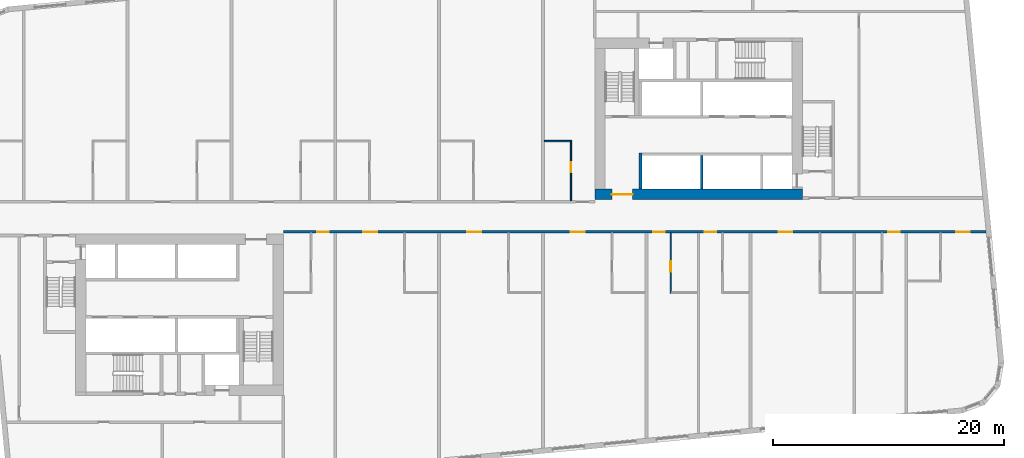
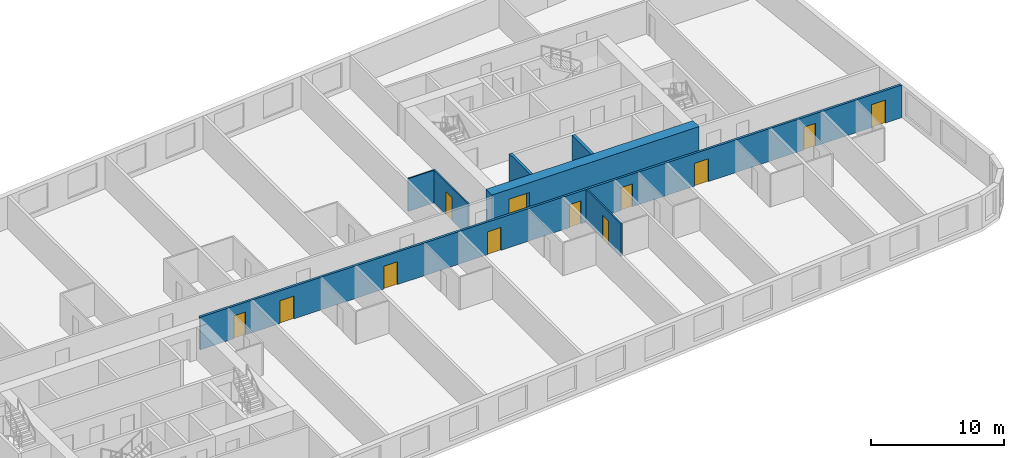
# One storey, part 5 of 12: 12 doors, 7 walls, 12 openings.
"""IFC4 building model written with IfcOpenShell, lengths in metres."""

from ifc_helpers import new_model, si_unit, direction, frame, frame_2d, origin, place, context, subcontext, project, spatial, rectangle, extrude, material, layer, layer_set, type_object, element, fill, save


model = new_model("IFC4")

# Units and contexts
model_context = context("Model", 3, precision=1e-05, world=origin(), true_north=direction((0.0, 1.0)))
body_context = subcontext(model_context, "Body", "Model", "MODEL_VIEW")
ifc_project = project(units=[si_unit("LENGTHUNIT", "METRE"), si_unit("AREAUNIT", "SQUARE_METRE"), si_unit("VOLUMEUNIT", "CUBIC_METRE"), si_unit("PLANEANGLEUNIT", "RADIAN"), si_unit("MASSUNIT", "GRAM", prefix="KILO")], contexts=[model_context])

# Site, building, storey
site_placement = place(None, origin())
site = spatial("IfcSite", under=ifc_project, at=site_placement, CompositionType="ELEMENT")
building_placement = place(site_placement, origin())
building = spatial("IfcBuilding", under=site, at=building_placement, Name="Kajstack Hotel Tower", CompositionType="ELEMENT")
storey_placement = place(building_placement, frame((0.0, 0.0, 147.10009765625)))
storey = spatial("IfcBuildingStorey", under=building, at=storey_placement, Name="L34", CompositionType="ELEMENT", Elevation=147.10009765625)

# Wall, opening, door
ifc_material_1 = material(Name="Concrete C60/75", Category="concrete")
ifc_layer_1 = layer(ifc_material_1, 0.89990234375)
ifc_layer_set_1 = layer_set([ifc_layer_1], Name="Core wall 900")
wall_type_1 = type_object("IfcWallType", Name="Core wall 900", PredefinedType="SHEAR", material=ifc_layer_set_1)
wall_1_placement = place(storey_placement, frame((13.5, 1.949951171875, 0.0), z_axis=(0.0, 0.0, 1.0), x_axis=(1.0, 0.0, 0.0)))
wall_1 = element("IfcWall", 1, at=wall_1_placement, inside=storey, type_object=wall_type_1, Name="Core wall E RN", PredefinedType="SHEAR", context=body_context, shape_type="SweptSolid", body=[
    extrude(rectangle(XDim=18.0, YDim=0.89990234375, at=frame_2d((9.0, 0.0))), origin(), (0.0, 0.0, 1.0), 3.0),
])
opening_1_placement = place(wall_1_placement, frame((1.47509765625, 0.0, 0.0)))
opening_1 = element("IfcOpeningElement", 2, at=opening_1_placement, cuts=wall_1, Name="Opening 34E06", PredefinedType="OPENING", context=body_context, shape_type="SweptSolid", body=[
    extrude(rectangle(XDim=1.800048828125, YDim=2.10009765625, at=frame_2d((0.89990234375, 1.050048828125))), frame((0.0, 0.4599609375, 0.0), z_axis=(0.0, -1.0, 0.0), x_axis=(1.0, 0.0, 0.0)), (0.0, 0.0, 1.0), 0.919921875),
])
ifc_material_2 = material(Name="Glazed steel frame, fire-rated glass", Category="steel")
door_type_1 = type_object("IfcDoorType", Name="Lobby double door 1800", OperationType="DOUBLE_DOOR_DOUBLE_SWING", PredefinedType="DOOR", material=ifc_material_2)
door_1_placement = place(opening_1_placement, origin())
door_1 = element("IfcDoor", 3, at=door_1_placement, inside=storey, type_object=door_type_1, Name="Door 34E06", OperationType="DOUBLE_DOOR_DOUBLE_SWING", OverallHeight=2.10009765625, OverallWidth=1.800048828125, PredefinedType="DOOR", context=body_context, shape_type="SweptSolid", body=[
    extrude(rectangle(XDim=1.800048828125, YDim=2.10009765625, at=frame_2d((0.89990234375, 1.050048828125))), frame((0.0, 0.02490234375, 0.0), z_axis=(0.0, -1.0, 0.0), x_axis=(1.0, 0.0, 0.0)), (0.0, 0.0, 1.0), 0.050048828125),
])
fill(opening_1, door_1)

# Wall, openings, doors
ifc_material_3 = material(Name="Gypsum board on steel studs, mineral wool", Category="steel")
ifc_layer_2 = layer(ifc_material_3, 0.199951171875)
ifc_layer_set_2 = layer_set([ifc_layer_2], Name="Corridor wall 200")
wall_type_2 = type_object("IfcWallType", Name="Corridor wall 200", PredefinedType="PARTITIONING", material=ifc_layer_set_2)
wall_2_placement = place(storey_placement, frame((-13.5, -1.300048828125, 0.0), z_axis=(0.0, 0.0, 1.0), x_axis=(1.0, 0.0, 0.0)))
wall_2 = element("IfcWall", 4, at=wall_2_placement, inside=storey, type_object=wall_type_2, Name="G-wall-L34-018", PredefinedType="PARTITIONING", context=body_context, shape_type="SweptSolid", body=[
    extrude(rectangle(XDim=60.931884765625, YDim=0.199951171875, at=frame_2d((30.4658203125, 0.0))), origin(), (0.0, 0.0, 1.0), 3.0),
])
opening_2_placement = place(wall_2_placement, frame((2.925048828125, 0.0, 0.0)))
opening_2 = element("IfcOpeningElement", 5, at=opening_2_placement, cuts=wall_2, Name="Opening 34015", PredefinedType="OPENING", context=body_context, shape_type="SweptSolid", body=[
    extrude(rectangle(XDim=1.0, YDim=2.10009765625, at=frame_2d((0.5, 1.050048828125))), frame((0.0, 0.10986328125, 0.0), z_axis=(0.0, -1.0, 0.0), x_axis=(1.0, 0.0, 0.0)), (0.0, 0.0, 1.0), 0.219970703125),
])
opening_3_placement = place(wall_2_placement, frame((6.93798828125, 0.0, 0.0)))
opening_3 = element("IfcOpeningElement", 6, at=opening_3_placement, cuts=wall_2, Name="Opening 34017", PredefinedType="OPENING", context=body_context, shape_type="SweptSolid", body=[
    extrude(rectangle(XDim=1.199951171875, YDim=2.10009765625, at=frame_2d((0.60009765625, 1.050048828125))), frame((0.0, 0.10986328125, 0.0), z_axis=(0.0, -1.0, 0.0), x_axis=(1.0, 0.0, 0.0)), (0.0, 0.0, 1.0), 0.219970703125),
])
opening_4_placement = place(wall_2_placement, frame((15.93798828125, 0.0, 0.0)))
opening_4 = element("IfcOpeningElement", 7, at=opening_4_placement, cuts=wall_2, Name="Opening 34019", PredefinedType="OPENING", context=body_context, shape_type="SweptSolid", body=[
    extrude(rectangle(XDim=1.199951171875, YDim=2.10009765625, at=frame_2d((0.60009765625, 1.050048828125))), frame((0.0, 0.10986328125, 0.0), z_axis=(0.0, -1.0, 0.0), x_axis=(1.0, 0.0, 0.0)), (0.0, 0.0, 1.0), 0.219970703125),
])
opening_5_placement = place(wall_2_placement, frame((24.93798828125, 0.0, 0.0)))
opening_5 = element("IfcOpeningElement", 8, at=opening_5_placement, cuts=wall_2, Name="Opening 34021", PredefinedType="OPENING", context=body_context, shape_type="SweptSolid", body=[
    extrude(rectangle(XDim=1.199951171875, YDim=2.10009765625, at=frame_2d((0.60009765625, 1.050048828125))), frame((0.0, 0.10986328125, 0.0), z_axis=(0.0, -1.0, 0.0), x_axis=(1.0, 0.0, 0.0)), (0.0, 0.0, 1.0), 0.219970703125),
])
opening_6_placement = place(wall_2_placement, frame((32.074951171875, 0.0, 0.0)))
opening_6 = element("IfcOpeningElement", 9, at=opening_6_placement, cuts=wall_2, Name="Opening 34023", PredefinedType="OPENING", context=body_context, shape_type="SweptSolid", body=[
    extrude(rectangle(XDim=1.0, YDim=2.10009765625, at=frame_2d((0.5, 1.050048828125))), frame((0.0, 0.10986328125, 0.0), z_axis=(0.0, -1.0, 0.0), x_axis=(1.0, 0.0, 0.0)), (0.0, 0.0, 1.0), 0.219970703125),
])
opening_7_placement = place(wall_2_placement, frame((36.550048828125, 0.0, 0.0)))
opening_7 = element("IfcOpeningElement", 10, at=opening_7_placement, cuts=wall_2, Name="Opening 34025", PredefinedType="OPENING", context=body_context, shape_type="SweptSolid", body=[
    extrude(rectangle(XDim=1.0, YDim=2.10009765625, at=frame_2d((0.5, 1.050048828125))), frame((0.0, 0.10986328125, 0.0), z_axis=(0.0, -1.0, 0.0), x_axis=(1.0, 0.0, 0.0)), (0.0, 0.0, 1.0), 0.219970703125),
])
opening_8_placement = place(wall_2_placement, frame((42.93798828125, 0.0, 0.0)))
opening_8 = element("IfcOpeningElement", 11, at=opening_8_placement, cuts=wall_2, Name="Opening 34027", PredefinedType="OPENING", context=body_context, shape_type="SweptSolid", body=[
    extrude(rectangle(XDim=1.199951171875, YDim=2.10009765625, at=frame_2d((0.60009765625, 1.050048828125))), frame((0.0, 0.10986328125, 0.0), z_axis=(0.0, -1.0, 0.0), x_axis=(1.0, 0.0, 0.0)), (0.0, 0.0, 1.0), 0.219970703125),
])
opening_9_placement = place(wall_2_placement, frame((52.425048828125, 0.0, 0.0)))
opening_9 = element("IfcOpeningElement", 12, at=opening_9_placement, cuts=wall_2, Name="Opening 34029", PredefinedType="OPENING", context=body_context, shape_type="SweptSolid", body=[
    extrude(rectangle(XDim=1.0, YDim=2.10009765625, at=frame_2d((0.5, 1.050048828125))), frame((0.0, 0.10986328125, 0.0), z_axis=(0.0, -1.0, 0.0), x_axis=(1.0, 0.0, 0.0)), (0.0, 0.0, 1.0), 0.219970703125),
])
opening_10_placement = place(wall_2_placement, frame((58.31591796875, 0.0, 0.0)))
opening_10 = element("IfcOpeningElement", 13, at=opening_10_placement, cuts=wall_2, Name="Opening 34031", PredefinedType="OPENING", context=body_context, shape_type="SweptSolid", body=[
    extrude(rectangle(XDim=1.199951171875, YDim=2.10009765625, at=frame_2d((0.60009765625, 1.050048828125))), frame((0.0, 0.10986328125, 0.0), z_axis=(0.0, -1.0, 0.0), x_axis=(1.0, 0.0, 0.0)), (0.0, 0.0, 1.0), 0.219970703125),
])
ifc_material_4 = material(Name="Oak veneer on timber core, fire-rated leaf", Category="wood")
door_type_2 = type_object("IfcDoorType", Name="Flat entrance door 1000", OperationType="SINGLE_SWING_LEFT", PredefinedType="DOOR", material=ifc_material_4)
door_2_placement = place(opening_2_placement, origin())
door_2 = element("IfcDoor", 14, at=door_2_placement, inside=storey, type_object=door_type_2, Name="G-door-L34-15", OperationType="SINGLE_SWING_RIGHT", OverallHeight=2.10009765625, OverallWidth=1.0, PredefinedType="DOOR", context=body_context, shape_type="SweptSolid", body=[
    extrude(rectangle(XDim=1.0, YDim=2.10009765625, at=frame_2d((0.5, 1.050048828125))), frame((0.0, 0.02490234375, 0.0), z_axis=(0.0, -1.0, 0.0), x_axis=(1.0, 0.0, 0.0)), (0.0, 0.0, 1.0), 0.050048828125),
])
fill(opening_2, door_2)
door_3_placement = place(opening_6_placement, origin())
door_3 = element("IfcDoor", 15, at=door_3_placement, inside=storey, type_object=door_type_2, Name="G-door-L34-23", OperationType="SINGLE_SWING_RIGHT", OverallHeight=2.10009765625, OverallWidth=1.0, PredefinedType="DOOR", context=body_context, shape_type="SweptSolid", body=[
    extrude(rectangle(XDim=1.0, YDim=2.10009765625, at=frame_2d((0.5, 1.050048828125))), frame((0.0, 0.02490234375, 0.0), z_axis=(0.0, -1.0, 0.0), x_axis=(1.0, 0.0, 0.0)), (0.0, 0.0, 1.0), 0.050048828125),
])
fill(opening_6, door_3)
door_4_placement = place(opening_7_placement, origin())
door_4 = element("IfcDoor", 16, at=door_4_placement, inside=storey, type_object=door_type_2, Name="G-door-L34-25", OperationType="SINGLE_SWING_RIGHT", OverallHeight=2.10009765625, OverallWidth=1.0, PredefinedType="DOOR", context=body_context, shape_type="SweptSolid", body=[
    extrude(rectangle(XDim=1.0, YDim=2.10009765625, at=frame_2d((0.5, 1.050048828125))), frame((0.0, 0.02490234375, 0.0), z_axis=(0.0, -1.0, 0.0), x_axis=(1.0, 0.0, 0.0)), (0.0, 0.0, 1.0), 0.050048828125),
])
fill(opening_7, door_4)
door_5_placement = place(opening_9_placement, origin())
door_5 = element("IfcDoor", 17, at=door_5_placement, inside=storey, type_object=door_type_2, Name="G-door-L34-29", OperationType="SINGLE_SWING_RIGHT", OverallHeight=2.10009765625, OverallWidth=1.0, PredefinedType="DOOR", context=body_context, shape_type="SweptSolid", body=[
    extrude(rectangle(XDim=1.0, YDim=2.10009765625, at=frame_2d((0.5, 1.050048828125))), frame((0.0, 0.02490234375, 0.0), z_axis=(0.0, -1.0, 0.0), x_axis=(1.0, 0.0, 0.0)), (0.0, 0.0, 1.0), 0.050048828125),
])
fill(opening_9, door_5)
door_type_3 = type_object("IfcDoorType", Name="Flat entrance door 1200", OperationType="SINGLE_SWING_LEFT", PredefinedType="DOOR", material=ifc_material_4)
door_6_placement = place(opening_3_placement, origin())
door_6 = element("IfcDoor", 18, at=door_6_placement, inside=storey, type_object=door_type_3, Name="G-door-L34-17", OperationType="SINGLE_SWING_RIGHT", OverallHeight=2.10009765625, OverallWidth=1.199951171875, PredefinedType="DOOR", context=body_context, shape_type="SweptSolid", body=[
    extrude(rectangle(XDim=1.199951171875, YDim=2.10009765625, at=frame_2d((0.60009765625, 1.050048828125))), frame((0.0, 0.02490234375, 0.0), z_axis=(0.0, -1.0, 0.0), x_axis=(1.0, 0.0, 0.0)), (0.0, 0.0, 1.0), 0.050048828125),
])
fill(opening_3, door_6)
door_7_placement = place(opening_4_placement, origin())
door_7 = element("IfcDoor", 19, at=door_7_placement, inside=storey, type_object=door_type_3, Name="G-door-L34-19", OperationType="SINGLE_SWING_RIGHT", OverallHeight=2.10009765625, OverallWidth=1.199951171875, PredefinedType="DOOR", context=body_context, shape_type="SweptSolid", body=[
    extrude(rectangle(XDim=1.199951171875, YDim=2.10009765625, at=frame_2d((0.60009765625, 1.050048828125))), frame((0.0, 0.02490234375, 0.0), z_axis=(0.0, -1.0, 0.0), x_axis=(1.0, 0.0, 0.0)), (0.0, 0.0, 1.0), 0.050048828125),
])
fill(opening_4, door_7)
door_8_placement = place(opening_5_placement, origin())
door_8 = element("IfcDoor", 20, at=door_8_placement, inside=storey, type_object=door_type_3, Name="G-door-L34-21", OperationType="SINGLE_SWING_RIGHT", OverallHeight=2.10009765625, OverallWidth=1.199951171875, PredefinedType="DOOR", context=body_context, shape_type="SweptSolid", body=[
    extrude(rectangle(XDim=1.199951171875, YDim=2.10009765625, at=frame_2d((0.60009765625, 1.050048828125))), frame((0.0, 0.02490234375, 0.0), z_axis=(0.0, -1.0, 0.0), x_axis=(1.0, 0.0, 0.0)), (0.0, 0.0, 1.0), 0.050048828125),
])
fill(opening_5, door_8)
door_9_placement = place(opening_8_placement, origin())
door_9 = element("IfcDoor", 21, at=door_9_placement, inside=storey, type_object=door_type_3, Name="G-door-L34-27", OperationType="SINGLE_SWING_LEFT", OverallHeight=2.10009765625, OverallWidth=1.199951171875, PredefinedType="DOOR", context=body_context, shape_type="SweptSolid", body=[
    extrude(rectangle(XDim=1.199951171875, YDim=2.10009765625, at=frame_2d((0.60009765625, 1.050048828125))), frame((0.0, 0.02490234375, 0.0), z_axis=(0.0, -1.0, 0.0), x_axis=(1.0, 0.0, 0.0)), (0.0, 0.0, 1.0), 0.050048828125),
])
fill(opening_8, door_9)
door_10_placement = place(opening_10_placement, origin())
door_10 = element("IfcDoor", 22, at=door_10_placement, inside=storey, type_object=door_type_3, Name="G-door-L34-31", OperationType="SINGLE_SWING_LEFT", OverallHeight=2.10009765625, OverallWidth=1.199951171875, PredefinedType="DOOR", context=body_context, shape_type="SweptSolid", body=[
    extrude(rectangle(XDim=1.199951171875, YDim=2.10009765625, at=frame_2d((0.60009765625, 1.050048828125))), frame((0.0, 0.02490234375, 0.0), z_axis=(0.0, -1.0, 0.0), x_axis=(1.0, 0.0, 0.0)), (0.0, 0.0, 1.0), 0.050048828125),
])
fill(opening_10, door_10)

# Wall, opening, door
ifc_material_5 = material(Name="Gypsum board and tiled backer on steel studs", Category="steel")
ifc_layer_3 = layer(ifc_material_5, 0.125)
ifc_layer_set_3 = layer_set([ifc_layer_3], Name="En-suite wall 125")
wall_type_3 = type_object("IfcWallType", Name="En-suite wall 125", PredefinedType="PARTITIONING", material=ifc_layer_set_3)
wall_3_placement = place(storey_placement, frame((11.43798828125, 1.39990234375, 0.0), z_axis=(0.0, 0.0, 1.0), x_axis=(0.0, 1.0, 0.0)))
wall_3 = element("IfcWall", 23, at=wall_3_placement, inside=storey, type_object=wall_type_3, Name="G-wall-L34-016", PredefinedType="PARTITIONING", context=body_context, shape_type="SweptSolid", body=[
    extrude(rectangle(XDim=5.22509765625, YDim=0.125, at=frame_2d((2.612548828125, 0.0))), origin(), (0.0, 0.0, 1.0), 3.0),
])
opening_11_placement = place(wall_3_placement, frame((2.449951171875, 0.0, 0.0)))
opening_11 = element("IfcOpeningElement", 24, at=opening_11_placement, cuts=wall_3, Name="Opening 34014", PredefinedType="OPENING", context=body_context, shape_type="SweptSolid", body=[
    extrude(rectangle(XDim=0.89990234375, YDim=2.10009765625, at=frame_2d((0.449951171875, 1.050048828125))), frame((0.0, 0.072509765625, 0.0), z_axis=(0.0, -1.0, 0.0), x_axis=(1.0, 0.0, 0.0)), (0.0, 0.0, 1.0), 0.14501953125),
])
ifc_material_6 = material(Name="Painted timber door leaf", Category="wood")
door_type_4 = type_object("IfcDoorType", Name="Room door 900", OperationType="SINGLE_SWING_LEFT", PredefinedType="DOOR", material=ifc_material_6)
door_11_placement = place(opening_11_placement, origin())
door_11 = element("IfcDoor", 25, at=door_11_placement, inside=storey, type_object=door_type_4, Name="G-door-L34-14", OperationType="SINGLE_SWING_RIGHT", OverallHeight=2.10009765625, OverallWidth=0.89990234375, PredefinedType="DOOR", context=body_context, shape_type="SweptSolid", body=[
    extrude(rectangle(XDim=0.89990234375, YDim=2.10009765625, at=frame_2d((0.449951171875, 1.050048828125))), frame((0.0, 0.02490234375, 0.0), z_axis=(0.0, -1.0, 0.0), x_axis=(1.0, 0.0, 0.0)), (0.0, 0.0, 1.0), 0.050048828125),
])
fill(opening_11, door_11)

# Wall
wall_4_placement = place(storey_placement, frame((9.125, 6.56201171875, 0.0), z_axis=(0.0, 0.0, 1.0), x_axis=(1.0, 0.0, 0.0)))
element("IfcWall", 26, at=wall_4_placement, inside=storey, type_object=wall_type_3, Name="G-wall-L34-017", PredefinedType="PARTITIONING", context=body_context, shape_type="SweptSolid", body=[
    extrude(rectangle(XDim=2.25, YDim=0.125, at=frame_2d((1.125, 0.0))), origin(), (0.0, 0.0, 1.0), 3.0),
])

# Wall, opening, door
wall_5_placement = place(storey_placement, frame((20.0869140625, -6.625, 0.0), z_axis=(0.0, 0.0, 1.0), x_axis=(0.0, 1.0, 0.0)))
wall_5 = element("IfcWall", 27, at=wall_5_placement, inside=storey, type_object=wall_type_3, Name="G-wall-L34-028", PredefinedType="PARTITIONING", context=body_context, shape_type="SweptSolid", body=[
    extrude(rectangle(XDim=5.22509765625, YDim=0.125, at=frame_2d((2.612548828125, 0.0))), origin(), (0.0, 0.0, 1.0), 3.0),
])
opening_12_placement = place(wall_5_placement, frame((1.875, 0.0, 0.0)))
opening_12 = element("IfcOpeningElement", 28, at=opening_12_placement, cuts=wall_5, Name="Opening 34024", PredefinedType="OPENING", context=body_context, shape_type="SweptSolid", body=[
    extrude(rectangle(XDim=0.89990234375, YDim=2.10009765625, at=frame_2d((0.449951171875, 1.050048828125))), frame((0.0, 0.072509765625, 0.0), z_axis=(0.0, -1.0, 0.0), x_axis=(1.0, 0.0, 0.0)), (0.0, 0.0, 1.0), 0.14501953125),
])
door_12_placement = place(opening_12_placement, origin())
door_12 = element("IfcDoor", 29, at=door_12_placement, inside=storey, type_object=door_type_4, Name="G-door-L34-24", OperationType="SINGLE_SWING_LEFT", OverallHeight=2.10009765625, OverallWidth=0.89990234375, PredefinedType="DOOR", context=body_context, shape_type="SweptSolid", body=[
    extrude(rectangle(XDim=0.89990234375, YDim=2.10009765625, at=frame_2d((0.449951171875, 1.050048828125))), frame((0.0, 0.02490234375, 0.0), z_axis=(0.0, -1.0, 0.0), x_axis=(1.0, 0.0, 0.0)), (0.0, 0.0, 1.0), 0.050048828125),
])
fill(opening_12, door_12)

# Walls
ifc_material_7 = material(Name="Concrete C50/60", Category="concrete")
ifc_layer_4 = layer(ifc_material_7, 0.300048828125)
ifc_layer_set_4 = layer_set([ifc_layer_4], Name="Hoistway divider wall 300")
wall_type_4 = type_object("IfcWallType", Name="Hoistway divider wall 300", PredefinedType="SHEAR", material=ifc_layer_set_4)
wall_6_placement = place(storey_placement, frame((22.77490234375, 2.39990234375, 0.0), z_axis=(0.0, 0.0, 1.0), x_axis=(0.0, 1.0, 0.0)))
element("IfcWall", 30, at=wall_6_placement, inside=storey, type_object=wall_type_4, Name="Core wall E AP2", PredefinedType="SHEAR", context=body_context, shape_type="SweptSolid", body=[
    extrude(rectangle(XDim=2.900146484375, YDim=0.25, at=frame_2d((1.4501953125, 0.0))), origin(), (0.0, 0.0, 1.0), 3.0),
])
ifc_layer_5 = layer(ifc_material_7, 0.25)
ifc_layer_set_5 = layer_set([ifc_layer_5], Name="Shaft wall 250")
wall_type_5 = type_object("IfcWallType", Name="Shaft wall 250", PredefinedType="SHEAR", material=ifc_layer_set_5)
wall_7_placement = place(storey_placement, frame((17.47509765625, 2.39990234375, 0.0), z_axis=(0.0, 0.0, 1.0), x_axis=(0.0, 1.0, 0.0)))
element("IfcWall", 31, at=wall_7_placement, inside=storey, type_object=wall_type_5, Name="Core wall E AE", PredefinedType="SHEAR", context=body_context, shape_type="SweptSolid", body=[
    extrude(rectangle(XDim=3.150146484375, YDim=0.25, at=frame_2d((1.5751953125, 0.0))), origin(), (0.0, 0.0, 1.0), 3.0),
])

save(model, "model.ifc")
